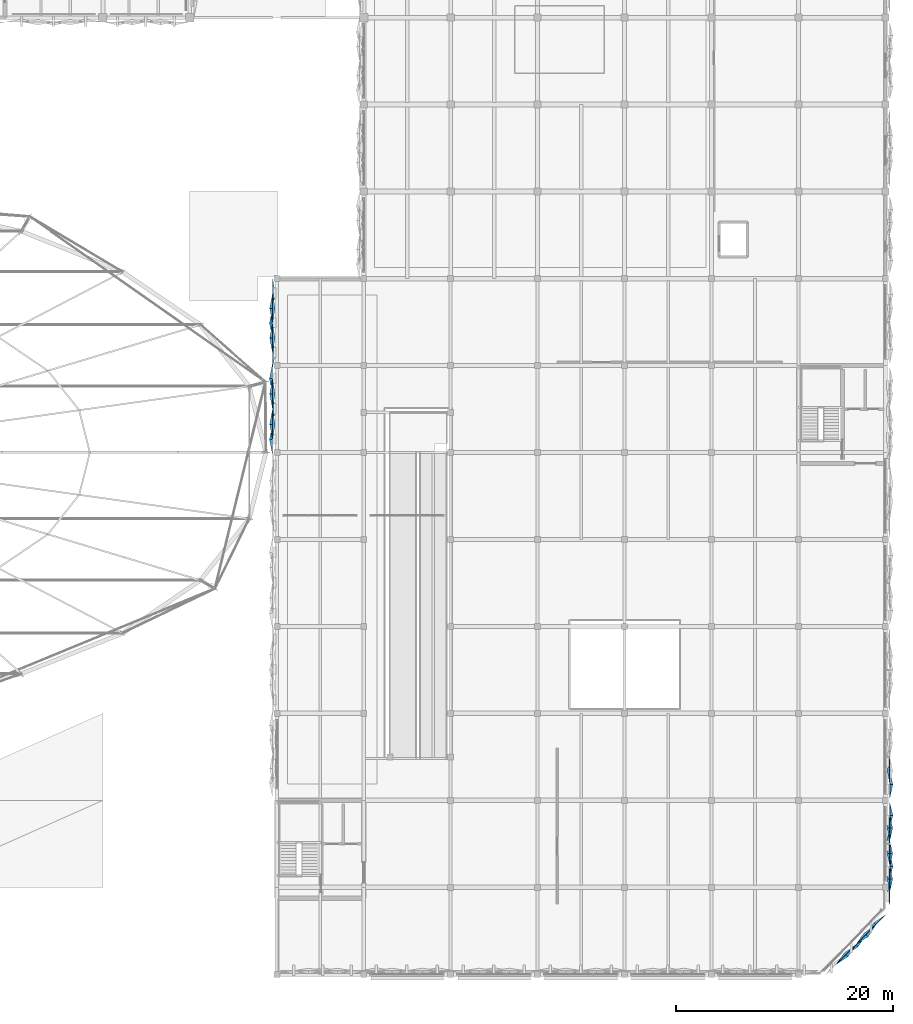
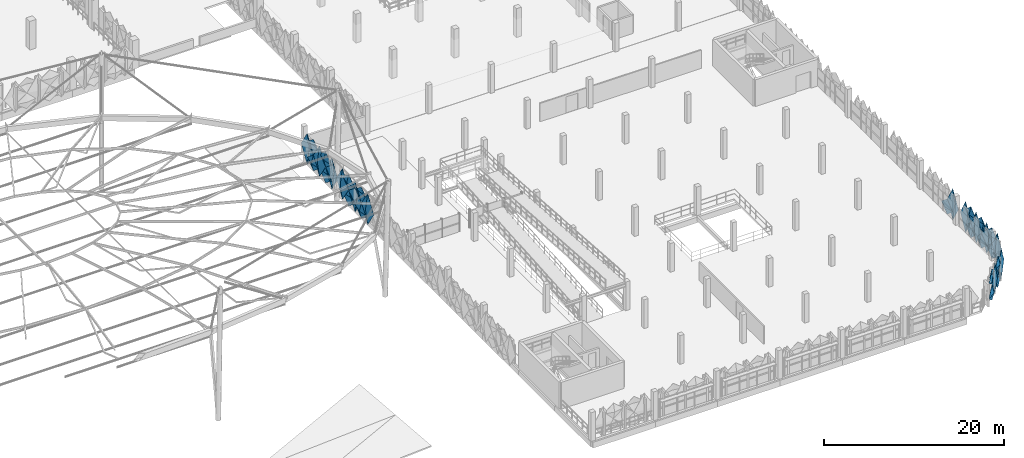
# One storey, part 71 of 96: 32 plates.
"""IFC4 building model written with IfcOpenShell, lengths in metres."""

import ifcopenshell
import ifcopenshell.guid

model = None  # the IFC model being written
_history = None  # IfcOwnerHistory: only IFC2X3 demands one
_inside = {}  # id of a spatial element -> (the spatial element, [elements in it])
_under = {}  # id of a project, library or spatial element -> (it, [spatial elements below it])
_declared = {}  # id of a project -> (the project, [libraries it declares])
_typed = {}  # id of a type object -> (the type object, [elements of that type])
_made_of = {}  # id of a material, layer set ... -> (it, [elements and type objects made of it])


def new_model(schema):
    """Start an empty IFC model of exactly this schema.

    Asked for "IFC4X3", IfcOpenShell would pick the latest addendum, in which some entities
    have other attributes; the version numbers below select the first issue.
    IFC2X3 requires an IfcOwnerHistory on every rooted entity: one is made here for all.
    """
    global model, _history
    if schema == "IFC4X3":
        model = ifcopenshell.file(schema_version=(4, 3, 0, 0))
    else:
        model = ifcopenshell.file(schema=schema)
    _inside.clear()
    _under.clear()
    _declared.clear()
    _typed.clear()
    _made_of.clear()
    _history = None
    if model.schema == "IFC2X3":
        org = make("IfcOrganization", Name="unknown")
        user = make(
            "IfcPersonAndOrganization",
            ThePerson=make("IfcPerson", FamilyName="unknown"),
            TheOrganization=org,
        )
        app = make(
            "IfcApplication",
            ApplicationDeveloper=org,
            Version="unknown",
            ApplicationFullName="unknown",
            ApplicationIdentifier="unknown",
        )
        _history = make(
            "IfcOwnerHistory",
            OwningUser=user,
            OwningApplication=app,
            ChangeAction="ADDED",
            CreationDate=0,
        )
    return model


def make(cls, **values):
    """One entity of the class cls with the attributes given. An attribute that is None is left unset."""
    return model.create_entity(
        cls, **{name: value for name, value in values.items() if value is not None}
    )


def rooted(cls, **values):
    """An entity with a GlobalId (a new one), such as an element, a storey or a relation."""
    return make(cls, GlobalId=ifcopenshell.guid.new(), OwnerHistory=_history, **values)


def si_unit(unit_type, name, prefix=None):
    """IfcSIUnit, for example si_unit("LENGTHUNIT", "METRE", prefix="MILLI")."""
    return make("IfcSIUnit", UnitType=unit_type, Prefix=prefix, Name=name)


def derived_unit(unit_type, elements):
    """IfcDerivedUnit: a product of units, each with its exponent."""
    return make(
        "IfcDerivedUnit",
        Elements=[
            make("IfcDerivedUnitElement", Unit=unit, Exponent=power)
            for unit, power in elements
        ],
        UnitType=unit_type,
    )


def assignment(units):
    """IfcUnitAssignment: the units of a project."""
    return None if units is None else make("IfcUnitAssignment", Units=units)


def point(xyz):
    """IfcCartesianPoint."""
    return None if xyz is None else make("IfcCartesianPoint", Coordinates=xyz)


def direction(xyz):
    """IfcDirection."""
    return None if xyz is None else make("IfcDirection", DirectionRatios=xyz)


def frame(location, z_axis=None, x_axis=None):
    """IfcAxis2Placement3D, a coordinate frame: its origin and axes. An axis left out is left unset."""
    return make(
        "IfcAxis2Placement3D",
        Location=point(location),
        Axis=direction(z_axis),
        RefDirection=direction(x_axis),
    )


def origin():
    """The frame at (0, 0, 0) with its axes left unset."""
    return frame((0.0, 0.0, 0.0))


def place(relative_to, where):
    """IfcLocalPlacement: puts the frame where relative to a parent placement (None: the world)."""
    return make(
        "IfcLocalPlacement", PlacementRelTo=relative_to, RelativePlacement=where
    )


def context(
    kind, dimensions, precision=None, world=None, true_north=None, identifier=None
):
    """IfcGeometricRepresentationContext, for example the 3D "Model" context."""
    return make(
        "IfcGeometricRepresentationContext",
        ContextIdentifier=identifier,
        ContextType=kind,
        CoordinateSpaceDimension=dimensions,
        Precision=precision,
        WorldCoordinateSystem=world,
        TrueNorth=true_north,
    )


def subcontext(parent, identifier, kind, view, scale=None):
    """IfcGeometricRepresentationSubContext, for example "Body" below "Model"."""
    return make(
        "IfcGeometricRepresentationSubContext",
        ContextIdentifier=identifier,
        ContextType=kind,
        ParentContext=parent,
        TargetScale=scale,
        TargetView=view,
    )


def project(units=None, contexts=None):
    """IfcProject with its units and contexts."""
    return rooted(
        "IfcProject",
        Name="project",
        RepresentationContexts=contexts,
        UnitsInContext=assignment(units),
    )


def spatial(cls, under=None, at=None, **own):
    """A site, building, storey or space (cls), placed at a placement, below another one or the project."""
    s = rooted(cls, ObjectPlacement=at, **own)
    if under is not None:
        _under.setdefault(under.id(), (under, []))[1].append(s)
    return s


def point_list(points):
    """IfcCartesianPointList2D or 3D."""
    cls = (
        "IfcCartesianPointList2D" if len(points[0]) == 2 else "IfcCartesianPointList3D"
    )
    return make(cls, CoordList=points)


def polygons(points, faces, closed=None, point_numbers=None):
    """IfcPolygonalFaceSet: a face is its outer loop, then its inner loops; points numbered from 1."""
    made = []
    for loops in faces:
        if len(loops) == 1:
            made.append(make("IfcIndexedPolygonalFace", CoordIndex=loops[0]))
        else:
            made.append(
                make(
                    "IfcIndexedPolygonalFaceWithVoids",
                    CoordIndex=loops[0],
                    InnerCoordIndices=loops[1:],
                )
            )
    return make(
        "IfcPolygonalFaceSet",
        Coordinates=point_list(points),
        Closed=closed,
        Faces=made,
        PnIndex=point_numbers,
    )


def shape(context_of_items, identifier, shape_type, items):
    """IfcShapeRepresentation: the items that make up one representation, for example the "Body"."""
    return make(
        "IfcShapeRepresentation",
        ContextOfItems=context_of_items,
        RepresentationIdentifier=identifier,
        RepresentationType=shape_type,
        Items=items,
    )


def material(Name=None, Category=None):
    """IfcMaterial."""
    return make("IfcMaterial", Name=Name, Category=Category)


def layer(
    of_material, thickness, ventilated=None, Name=None, Category=None, Priority=None
):
    """IfcMaterialLayer: one layer of a wall or slab, of a material (None: an air gap)."""
    return make(
        "IfcMaterialLayer",
        Material=of_material,
        LayerThickness=thickness,
        IsVentilated=ventilated,
        Name=Name,
        Category=Category,
        Priority=Priority,
    )


def layer_set(layers, Name=None):
    """IfcMaterialLayerSet."""
    return make("IfcMaterialLayerSet", MaterialLayers=layers, LayerSetName=Name)


def made_of(thing, what):
    """Note that an element or type object is made of a material, layer set ...; save() writes the relation."""
    if what is not None:
        _made_of.setdefault(what.id(), (what, []))[1].append(thing)
    return thing


def type_object(cls, material=None, **own):
    """A type object (cls), such as IfcWallType, which elements share."""
    return made_of(rooted(cls, **own), material)


def element(
    cls,
    number,
    at=None,
    inside=None,
    cuts=None,
    type_object=None,
    material=None,
    context=None,
    identifier="Body",
    shape_type=None,
    held_by="IfcProductDefinitionShape",
    body=None,
    shapes=None,
    **own,
):
    """One element of the class cls, such as IfcWall. Its Tag is "e" and its number.

    at: its placement. inside: the storey or other place that contains it. cuts: it is an
    opening in that element (IfcRelVoidsElement). A single representation is given by context,
    identifier, shape_type and body (its items); several are given by shapes. held_by: the class
    of the entity that holds the representations. save() writes the other relations.
    """
    e = rooted(cls, Tag="e%d" % number, ObjectPlacement=at, **own)
    if body is not None:
        shapes = [shape(context, identifier, shape_type, body)]
    if shapes is not None:
        e.Representation = make(held_by, Representations=shapes)
    if inside is not None:
        _inside.setdefault(inside.id(), (inside, []))[1].append(e)
    if cuts is not None:
        rooted(
            "IfcRelVoidsElement", RelatingBuildingElement=cuts, RelatedOpeningElement=e
        )
    if type_object is not None:
        _typed.setdefault(type_object.id(), (type_object, []))[1].append(e)
    return made_of(e, material)


def aggregate(whole, parts):
    """IfcRelAggregates: a whole, such as a stair, and the parts it consists of."""
    return rooted("IfcRelAggregates", RelatingObject=whole, RelatedObjects=parts)


def save(model, path):
    """Write the relations noted so far, then the file.

    IfcRelAggregates (storeys below a building ...), IfcRelContainedInSpatialStructure (elements
    in a storey), IfcRelDefinesByType, IfcRelAssociatesMaterial and IfcRelDeclares: one each for
    every whole, place, type object, material and project.
    """
    for whole, parts in _under.values():
        aggregate(whole, parts)
    for where, things in _inside.values():
        rooted(
            "IfcRelContainedInSpatialStructure",
            RelatedElements=things,
            RelatingStructure=where,
        )
    for kind, things in _typed.values():
        rooted("IfcRelDefinesByType", RelatedObjects=things, RelatingType=kind)
    for what, things in _made_of.values():
        rooted("IfcRelAssociatesMaterial", RelatedObjects=things, RelatingMaterial=what)
    for by, libraries in _declared.values():
        rooted("IfcRelDeclares", RelatingContext=by, RelatedDefinitions=libraries)
    model.write(path)


model = new_model("IFC4")

# Units and contexts
model_context = context("Model", 3, precision=1e-05, world=origin(), true_north=direction((0.0, 1.0)))
body_context = subcontext(model_context, "Body", "Model", "MODEL_VIEW")
ifc_project = project(units=[si_unit("LENGTHUNIT", "METRE"), si_unit("AREAUNIT", "SQUARE_METRE"), si_unit("VOLUMEUNIT", "CUBIC_METRE"), si_unit("PLANEANGLEUNIT", "RADIAN"), si_unit("MASSUNIT", "GRAM", prefix="KILO"), si_unit("THERMODYNAMICTEMPERATUREUNIT", "KELVIN"), derived_unit("THERMALTRANSMITTANCEUNIT", [(si_unit("POWERUNIT", "WATT"), 1), (si_unit("AREAUNIT", "SQUARE_METRE"), -1), (si_unit("THERMODYNAMICTEMPERATUREUNIT", "KELVIN"), -1)])], contexts=[model_context])

# Site, building, storey
site_placement = place(None, origin())
site = spatial("IfcSite", under=ifc_project, at=site_placement, CompositionType="ELEMENT")
building_placement = place(site_placement, origin())
building = spatial("IfcBuilding", under=site, at=building_placement, Name="Haiyu Intermodal Mobility Hub", CompositionType="ELEMENT")
storey_placement = place(building_placement, frame((0.0, 0.0, 9.5)))
storey = spatial("IfcBuildingStorey", under=building, at=storey_placement, Name="L02", CompositionType="ELEMENT", Elevation=9.5)

# Plates
ifc_material = material(Name="Anodised aluminium 6063-T6", Category="aluminium")
ifc_layer_1 = layer(ifc_material, 0.01806640625)
ifc_layer_set_1 = layer_set([ifc_layer_1], Name="Anodised aluminium 6063-T6")
plate_type_1 = type_object("IfcPlateType", Name="PLT-FC01", PredefinedType="USERDEFINED", material=ifc_layer_set_1)
plate_1_placement = place(storey_placement, origin())
element("IfcPlate", 1, at=plate_1_placement, inside=storey, type_object=plate_type_1, Name="PLT-PYR-1729", ObjectType="FACADE CASSETTE", PredefinedType="USERDEFINED", context=body_context, shape_type="Tessellation", body=[
    polygons([(153.60009765625, 65.199951171875, -0.510009765625), (153.60009765625, 63.820068359375, 1.60009765625), (153.60009765625, 65.199951171875, 3.7099609375), (153.60009765625, 66.580078125, 1.60009765625), (153.320068359375, 65.199951171875, 1.60009765625), (153.6220703125, 65.199951171875, -0.510009765625), (153.6220703125, 63.820068359375, 1.60009765625), (153.6220703125, 65.199951171875, 3.7099609375), (153.6220703125, 66.580078125, 1.60009765625), (153.342041015625, 65.199951171875, 1.60009765625)], [[[1, 2, 5]], [[2, 3, 5]], [[3, 4, 5]], [[4, 1, 5]], [[7, 6, 10]], [[8, 7, 10]], [[9, 8, 10]], [[6, 9, 10]], [[1, 6, 7, 2]], [[2, 7, 8, 3]], [[3, 8, 9, 4]], [[4, 9, 6, 1]]], closed=True),
])
ifc_layer_2 = layer(ifc_material, 0.02001953125)
ifc_layer_set_2 = layer_set([ifc_layer_2], Name="Anodised aluminium 6063-T6")
plate_type_2 = type_object("IfcPlateType", Name="PLT-FC02", PredefinedType="USERDEFINED", material=ifc_layer_set_2)
plate_2_placement = place(storey_placement, origin())
element("IfcPlate", 2, at=plate_2_placement, inside=storey, type_object=plate_type_2, Name="PLT-PYR-1471", ObjectType="FACADE CASSETTE", PredefinedType="USERDEFINED", context=body_context, shape_type="Tessellation", body=[
    polygons([(209.115966796875, 20.550048828125, -0.510009765625), (210.01904296875, 21.452880859375, 1.60009765625), (209.115966796875, 20.550048828125, 3.7099609375), (208.214111328125, 19.64794921875, 1.60009765625), (208.931884765625, 20.73388671875, 1.60009765625), (209.10107421875, 20.56591796875, -0.510009765625), (210.0029296875, 21.468994140625, 1.60009765625), (209.10107421875, 20.56591796875, 3.7099609375), (208.197998046875, 19.6640625, 1.60009765625), (208.9169921875, 20.75, 1.60009765625)], [[[1, 2, 5]], [[2, 3, 5]], [[3, 4, 5]], [[4, 1, 5]], [[7, 6, 10]], [[8, 7, 10]], [[9, 8, 10]], [[6, 9, 10]], [[1, 6, 7, 2]], [[2, 7, 8, 3]], [[3, 8, 9, 4]], [[4, 9, 6, 1]]], closed=True),
])
plate_3_placement = place(storey_placement, origin())
element("IfcPlate", 3, at=plate_3_placement, inside=storey, type_object=plate_type_2, Name="PLT-PYR-1659", ObjectType="FACADE CASSETTE", PredefinedType="USERDEFINED", context=body_context, shape_type="Tessellation", body=[
    polygons([(210.39990234375, 28.27490234375, -0.510009765625), (210.39990234375, 29.429931640625, 1.60009765625), (210.39990234375, 28.27490234375, 3.7099609375), (210.39990234375, 27.1201171875, 1.60009765625), (210.139892578125, 28.27490234375, 1.60009765625), (210.3779296875, 28.27490234375, -0.510009765625), (210.3779296875, 29.429931640625, 1.60009765625), (210.3779296875, 28.27490234375, 3.7099609375), (210.3779296875, 27.1201171875, 1.60009765625), (210.117919921875, 28.27490234375, 1.60009765625)], [[[1, 2, 5]], [[2, 3, 5]], [[3, 4, 5]], [[4, 1, 5]], [[7, 6, 10]], [[8, 7, 10]], [[9, 8, 10]], [[6, 9, 10]], [[1, 6, 7, 2]], [[2, 7, 8, 3]], [[3, 8, 9, 4]], [[4, 9, 6, 1]]], closed=True),
])
plate_4_placement = place(storey_placement, origin())
element("IfcPlate", 4, at=plate_4_placement, inside=storey, type_object=plate_type_2, Name="PLT-PYR-1736", ObjectType="FACADE CASSETTE", PredefinedType="USERDEFINED", context=body_context, shape_type="Tessellation", body=[
    polygons([(153.60009765625, 73.1669921875, -0.510009765625), (153.60009765625, 71.820068359375, 1.60009765625), (153.60009765625, 73.1669921875, 3.7099609375), (153.60009765625, 74.512939453125, 1.60009765625), (153.860107421875, 73.1669921875, 1.60009765625), (153.6220703125, 73.1669921875, -0.510009765625), (153.6220703125, 71.820068359375, 1.60009765625), (153.6220703125, 73.1669921875, 3.7099609375), (153.6220703125, 74.512939453125, 1.60009765625), (153.882080078125, 73.1669921875, 1.60009765625)], [[[1, 2, 5]], [[2, 3, 5]], [[3, 4, 5]], [[4, 1, 5]], [[7, 6, 10]], [[8, 7, 10]], [[9, 8, 10]], [[6, 9, 10]], [[1, 6, 7, 2]], [[2, 7, 8, 3]], [[3, 8, 9, 4]], [[4, 9, 6, 1]]], closed=True),
])
ifc_layer_3 = layer(ifc_material, 0.01806640625)
ifc_layer_set_3 = layer_set([ifc_layer_3], Name="Anodised aluminium 6063-T6")
plate_type_3 = type_object("IfcPlateType", Name="PLT-FC03", PredefinedType="USERDEFINED", material=ifc_layer_set_3)
plate_5_placement = place(storey_placement, origin())
element("IfcPlate", 5, at=plate_5_placement, inside=storey, type_object=plate_type_3, Name="PLT-PYR-1662", ObjectType="FACADE CASSETTE", PredefinedType="USERDEFINED", context=body_context, shape_type="Tessellation", body=[
    polygons([(210.39990234375, 30.625, -0.510009765625), (210.39990234375, 31.780029296875, 1.60009765625), (210.39990234375, 30.625, 3.7099609375), (210.39990234375, 29.469970703125, 1.60009765625), (210.679931640625, 30.625, 1.60009765625), (210.3779296875, 30.625, -0.510009765625), (210.3779296875, 31.780029296875, 1.60009765625), (210.3779296875, 30.625, 3.7099609375), (210.3779296875, 29.469970703125, 1.60009765625), (210.657958984375, 30.625, 1.60009765625)], [[[1, 2, 5]], [[2, 3, 5]], [[3, 4, 5]], [[4, 1, 5]], [[7, 6, 10]], [[8, 7, 10]], [[9, 8, 10]], [[6, 9, 10]], [[1, 6, 7, 2]], [[2, 7, 8, 3]], [[3, 8, 9, 4]], [[4, 9, 6, 1]]], closed=True),
])
ifc_layer_4 = layer(ifc_material, 0.01806640625)
ifc_layer_set_4 = layer_set([ifc_layer_4], Name="Anodised aluminium 6063-T6")
plate_type_4 = type_object("IfcPlateType", Name="PLT-FC05", PredefinedType="USERDEFINED", material=ifc_layer_set_4)
plate_6_placement = place(storey_placement, origin())
element("IfcPlate", 6, at=plate_6_placement, inside=storey, type_object=plate_type_4, Name="PLT-PYR-1466", ObjectType="FACADE CASSETTE", PredefinedType="USERDEFINED", context=body_context, shape_type="Tessellation", body=[
    polygons([(206.365966796875, 17.800048828125, -0.52001953125), (207.26904296875, 18.702880859375, 0.530029296875), (206.365966796875, 17.800048828125, 1.580078125), (205.464111328125, 16.89794921875, 0.530029296875), (206.550048828125, 17.616943359375, 0.530029296875), (206.35107421875, 17.81591796875, -0.52001953125), (207.2529296875, 18.718994140625, 0.530029296875), (206.35107421875, 17.81591796875, 1.580078125), (205.447998046875, 16.9140625, 0.530029296875), (206.533935546875, 17.632080078125, 0.530029296875)], [[[1, 2, 5]], [[2, 3, 5]], [[3, 4, 5]], [[4, 1, 5]], [[7, 6, 10]], [[8, 7, 10]], [[9, 8, 10]], [[6, 9, 10]], [[1, 6, 7, 2]], [[2, 7, 8, 3]], [[3, 8, 9, 4]], [[4, 9, 6, 1]]], closed=True),
])
plate_7_placement = place(storey_placement, origin())
element("IfcPlate", 7, at=plate_7_placement, inside=storey, type_object=plate_type_4, Name="PLT-PYR-1654", ObjectType="FACADE CASSETTE", PredefinedType="USERDEFINED", context=body_context, shape_type="Tessellation", body=[
    polygons([(210.39990234375, 24.75, -0.52001953125), (210.39990234375, 25.905029296875, 0.530029296875), (210.39990234375, 24.75, 1.580078125), (210.39990234375, 23.594970703125, 0.530029296875), (210.659912109375, 24.75, 0.530029296875), (210.3779296875, 24.75, -0.52001953125), (210.3779296875, 25.905029296875, 0.530029296875), (210.3779296875, 24.75, 1.580078125), (210.3779296875, 23.594970703125, 0.530029296875), (210.637939453125, 24.75, 0.530029296875)], [[[1, 2, 5]], [[2, 3, 5]], [[3, 4, 5]], [[4, 1, 5]], [[7, 6, 10]], [[8, 7, 10]], [[9, 8, 10]], [[6, 9, 10]], [[1, 6, 7, 2]], [[2, 7, 8, 3]], [[3, 8, 9, 4]], [[4, 9, 6, 1]]], closed=True),
])
plate_8_placement = place(storey_placement, origin())
element("IfcPlate", 8, at=plate_8_placement, inside=storey, type_object=plate_type_4, Name="PLT-PYR-1660", ObjectType="FACADE CASSETTE", PredefinedType="USERDEFINED", context=body_context, shape_type="Tessellation", body=[
    polygons([(210.39990234375, 29.449951171875, -0.52001953125), (210.39990234375, 30.60498046875, 0.530029296875), (210.39990234375, 29.449951171875, 1.580078125), (210.39990234375, 28.294921875, 0.530029296875), (210.659912109375, 29.449951171875, 0.530029296875), (210.3779296875, 29.449951171875, -0.52001953125), (210.3779296875, 30.60498046875, 0.530029296875), (210.3779296875, 29.449951171875, 1.580078125), (210.3779296875, 28.294921875, 0.530029296875), (210.637939453125, 29.449951171875, 0.530029296875)], [[[1, 2, 5]], [[2, 3, 5]], [[3, 4, 5]], [[4, 1, 5]], [[7, 6, 10]], [[8, 7, 10]], [[9, 8, 10]], [[6, 9, 10]], [[1, 6, 7, 2]], [[2, 7, 8, 3]], [[3, 8, 9, 4]], [[4, 9, 6, 1]]], closed=True),
])
plate_9_placement = place(storey_placement, origin())
element("IfcPlate", 9, at=plate_9_placement, inside=storey, type_object=plate_type_4, Name="PLT-PYR-1663", ObjectType="FACADE CASSETTE", PredefinedType="USERDEFINED", context=body_context, shape_type="Tessellation", body=[
    polygons([(210.39990234375, 33.467041015625, -0.510009765625), (210.39990234375, 34.712890625, 1.60009765625), (210.39990234375, 33.467041015625, 3.7099609375), (210.39990234375, 32.219970703125, 1.60009765625), (210.679931640625, 33.467041015625, 1.60009765625), (210.3779296875, 33.467041015625, -0.510009765625), (210.3779296875, 34.712890625, 1.60009765625), (210.3779296875, 33.467041015625, 3.7099609375), (210.3779296875, 32.219970703125, 1.60009765625), (210.657958984375, 33.467041015625, 1.60009765625)], [[[1, 2, 5]], [[2, 3, 5]], [[3, 4, 5]], [[4, 1, 5]], [[7, 6, 10]], [[8, 7, 10]], [[9, 8, 10]], [[6, 9, 10]], [[1, 6, 7, 2]], [[2, 7, 8, 3]], [[3, 8, 9, 4]], [[4, 9, 6, 1]]], closed=True),
])
plate_10_placement = place(storey_placement, origin())
element("IfcPlate", 10, at=plate_10_placement, inside=storey, type_object=plate_type_4, Name="PLT-PYR-1723", ObjectType="FACADE CASSETTE", PredefinedType="USERDEFINED", context=body_context, shape_type="Tessellation", body=[
    polygons([(153.60009765625, 70.800048828125, -0.510009765625), (153.60009765625, 69.419921875, 1.60009765625), (153.60009765625, 70.800048828125, 3.7099609375), (153.60009765625, 72.179931640625, 1.60009765625), (153.320068359375, 70.800048828125, 1.60009765625), (153.6220703125, 70.800048828125, -0.510009765625), (153.6220703125, 69.419921875, 1.60009765625), (153.6220703125, 70.800048828125, 3.7099609375), (153.6220703125, 72.179931640625, 1.60009765625), (153.342041015625, 70.800048828125, 1.60009765625)], [[[1, 2, 5]], [[2, 3, 5]], [[3, 4, 5]], [[4, 1, 5]], [[7, 6, 10]], [[8, 7, 10]], [[9, 8, 10]], [[6, 9, 10]], [[1, 6, 7, 2]], [[2, 7, 8, 3]], [[3, 8, 9, 4]], [[4, 9, 6, 1]]], closed=True),
])
plate_11_placement = place(storey_placement, origin())
element("IfcPlate", 11, at=plate_11_placement, inside=storey, type_object=plate_type_4, Name="PLT-PYR-1727", ObjectType="FACADE CASSETTE", PredefinedType="USERDEFINED", context=body_context, shape_type="Tessellation", body=[
    polygons([(153.60009765625, 66.60009765625, -0.52001953125), (153.60009765625, 65.219970703125, 0.530029296875), (153.60009765625, 66.60009765625, 1.580078125), (153.60009765625, 67.97998046875, 0.530029296875), (153.340087890625, 66.60009765625, 0.530029296875), (153.6220703125, 66.60009765625, -0.52001953125), (153.6220703125, 65.219970703125, 0.530029296875), (153.6220703125, 66.60009765625, 1.580078125), (153.6220703125, 67.97998046875, 0.530029296875), (153.362060546875, 66.60009765625, 0.530029296875)], [[[1, 2, 5]], [[2, 3, 5]], [[3, 4, 5]], [[4, 1, 5]], [[7, 6, 10]], [[8, 7, 10]], [[9, 8, 10]], [[6, 9, 10]], [[1, 6, 7, 2]], [[2, 7, 8, 3]], [[3, 8, 9, 4]], [[4, 9, 6, 1]]], closed=True),
])
plate_12_placement = place(storey_placement, origin())
element("IfcPlate", 12, at=plate_12_placement, inside=storey, type_object=plate_type_4, Name="PLT-PYR-1731", ObjectType="FACADE CASSETTE", PredefinedType="USERDEFINED", context=body_context, shape_type="Tessellation", body=[
    polygons([(153.60009765625, 77.26708984375, -0.52001953125), (153.60009765625, 75.919921875, 0.530029296875), (153.60009765625, 77.26708984375, 1.580078125), (153.60009765625, 78.613037109375, 0.530029296875), (153.340087890625, 77.26708984375, 0.530029296875), (153.6220703125, 77.26708984375, -0.52001953125), (153.6220703125, 75.919921875, 0.530029296875), (153.6220703125, 77.26708984375, 1.580078125), (153.6220703125, 78.613037109375, 0.530029296875), (153.362060546875, 77.26708984375, 0.530029296875)], [[[1, 2, 5]], [[2, 3, 5]], [[3, 4, 5]], [[4, 1, 5]], [[7, 6, 10]], [[8, 7, 10]], [[9, 8, 10]], [[6, 9, 10]], [[1, 6, 7, 2]], [[2, 7, 8, 3]], [[3, 8, 9, 4]], [[4, 9, 6, 1]]], closed=True),
])
ifc_layer_5 = layer(ifc_material, 0.02001953125)
ifc_layer_set_5 = layer_set([ifc_layer_5], Name="Anodised aluminium 6063-T6")
plate_type_5 = type_object("IfcPlateType", Name="PLT-FC06", PredefinedType="USERDEFINED", material=ifc_layer_set_5)
plate_13_placement = place(storey_placement, origin())
element("IfcPlate", 13, at=plate_13_placement, inside=storey, type_object=plate_type_5, Name="PLT-PYR-1469", ObjectType="FACADE CASSETTE", PredefinedType="USERDEFINED", context=body_context, shape_type="Tessellation", body=[
    polygons([(208.199951171875, 19.634033203125, -0.52001953125), (209.10205078125, 20.535888671875, 0.530029296875), (208.199951171875, 19.634033203125, 1.580078125), (207.297119140625, 18.73095703125, 0.530029296875), (208.0439453125, 19.7890625, 0.530029296875), (208.18408203125, 19.64892578125, -0.52001953125), (209.0859375, 20.552001953125, 0.530029296875), (208.18408203125, 19.64892578125, 1.580078125), (207.281005859375, 18.7470703125, 0.530029296875), (208.028076171875, 19.804931640625, 0.530029296875)], [[[1, 2, 5]], [[2, 3, 5]], [[3, 4, 5]], [[4, 1, 5]], [[7, 6, 10]], [[8, 7, 10]], [[9, 8, 10]], [[6, 9, 10]], [[1, 6, 7, 2]], [[2, 7, 8, 3]], [[3, 8, 9, 4]], [[4, 9, 6, 1]]], closed=True),
])
plate_14_placement = place(storey_placement, origin())
element("IfcPlate", 14, at=plate_14_placement, inside=storey, type_object=plate_type_5, Name="PLT-PYR-1653", ObjectType="FACADE CASSETTE", PredefinedType="USERDEFINED", context=body_context, shape_type="Tessellation", body=[
    polygons([(210.39990234375, 23.574951171875, -0.510009765625), (210.39990234375, 24.72998046875, 1.60009765625), (210.39990234375, 23.574951171875, 3.7099609375), (210.39990234375, 22.419921875, 1.60009765625), (210.139892578125, 23.574951171875, 1.60009765625), (210.3779296875, 23.574951171875, -0.510009765625), (210.3779296875, 24.72998046875, 1.60009765625), (210.3779296875, 23.574951171875, 3.7099609375), (210.3779296875, 22.419921875, 1.60009765625), (210.117919921875, 23.574951171875, 1.60009765625)], [[[1, 2, 5]], [[2, 3, 5]], [[3, 4, 5]], [[4, 1, 5]], [[7, 6, 10]], [[8, 7, 10]], [[9, 8, 10]], [[6, 9, 10]], [[1, 6, 7, 2]], [[2, 7, 8, 3]], [[3, 8, 9, 4]], [[4, 9, 6, 1]]], closed=True),
])
plate_15_placement = place(storey_placement, origin())
element("IfcPlate", 15, at=plate_15_placement, inside=storey, type_object=plate_type_5, Name="PLT-PYR-1657", ObjectType="FACADE CASSETTE", PredefinedType="USERDEFINED", context=body_context, shape_type="Tessellation", body=[
    polygons([(210.39990234375, 27.10009765625, -0.52001953125), (210.39990234375, 28.2548828125, 0.530029296875), (210.39990234375, 27.10009765625, 1.580078125), (210.39990234375, 25.945068359375, 0.530029296875), (210.179931640625, 27.10009765625, 0.530029296875), (210.3779296875, 27.10009765625, -0.52001953125), (210.3779296875, 28.2548828125, 0.530029296875), (210.3779296875, 27.10009765625, 1.580078125), (210.3779296875, 25.945068359375, 0.530029296875), (210.157958984375, 27.10009765625, 0.530029296875)], [[[1, 2, 5]], [[2, 3, 5]], [[3, 4, 5]], [[4, 1, 5]], [[7, 6, 10]], [[8, 7, 10]], [[9, 8, 10]], [[6, 9, 10]], [[1, 6, 7, 2]], [[2, 7, 8, 3]], [[3, 8, 9, 4]], [[4, 9, 6, 1]]], closed=True),
])
plate_16_placement = place(storey_placement, origin())
element("IfcPlate", 16, at=plate_16_placement, inside=storey, type_object=plate_type_5, Name="PLT-PYR-1664", ObjectType="FACADE CASSETTE", PredefinedType="USERDEFINED", context=body_context, shape_type="Tessellation", body=[
    polygons([(210.39990234375, 34.73291015625, -0.52001953125), (210.39990234375, 35.97998046875, 0.530029296875), (210.39990234375, 34.73291015625, 1.580078125), (210.39990234375, 33.487060546875, 0.530029296875), (210.179931640625, 34.73291015625, 0.530029296875), (210.3779296875, 34.73291015625, -0.52001953125), (210.3779296875, 35.97998046875, 0.530029296875), (210.3779296875, 34.73291015625, 1.580078125), (210.3779296875, 33.487060546875, 0.530029296875), (210.157958984375, 34.73291015625, 0.530029296875)], [[[1, 2, 5]], [[2, 3, 5]], [[3, 4, 5]], [[4, 1, 5]], [[7, 6, 10]], [[8, 7, 10]], [[9, 8, 10]], [[6, 9, 10]], [[1, 6, 7, 2]], [[2, 7, 8, 3]], [[3, 8, 9, 4]], [[4, 9, 6, 1]]], closed=True),
])
plate_17_placement = place(storey_placement, origin())
element("IfcPlate", 17, at=plate_17_placement, inside=storey, type_object=plate_type_5, Name="PLT-PYR-1724", ObjectType="FACADE CASSETTE", PredefinedType="USERDEFINED", context=body_context, shape_type="Tessellation", body=[
    polygons([(153.60009765625, 69.39990234375, -0.52001953125), (153.60009765625, 68.02001953125, 0.530029296875), (153.60009765625, 69.39990234375, 1.580078125), (153.60009765625, 70.780029296875, 0.530029296875), (153.820068359375, 69.39990234375, 0.530029296875), (153.6220703125, 69.39990234375, -0.52001953125), (153.6220703125, 68.02001953125, 0.530029296875), (153.6220703125, 69.39990234375, 1.580078125), (153.6220703125, 70.780029296875, 0.530029296875), (153.842041015625, 69.39990234375, 0.530029296875)], [[[1, 2, 5]], [[2, 3, 5]], [[3, 4, 5]], [[4, 1, 5]], [[7, 6, 10]], [[8, 7, 10]], [[9, 8, 10]], [[6, 9, 10]], [[1, 6, 7, 2]], [[2, 7, 8, 3]], [[3, 8, 9, 4]], [[4, 9, 6, 1]]], closed=True),
])
plate_18_placement = place(storey_placement, origin())
element("IfcPlate", 18, at=plate_18_placement, inside=storey, type_object=plate_type_5, Name="PLT-PYR-1730", ObjectType="FACADE CASSETTE", PredefinedType="USERDEFINED", context=body_context, shape_type="Tessellation", body=[
    polygons([(153.60009765625, 78.633056640625, -0.510009765625), (153.60009765625, 77.287109375, 1.60009765625), (153.60009765625, 78.633056640625, 3.7099609375), (153.60009765625, 79.97998046875, 1.60009765625), (153.860107421875, 78.633056640625, 1.60009765625), (153.6220703125, 78.633056640625, -0.510009765625), (153.6220703125, 77.287109375, 1.60009765625), (153.6220703125, 78.633056640625, 3.7099609375), (153.6220703125, 79.97998046875, 1.60009765625), (153.882080078125, 78.633056640625, 1.60009765625)], [[[1, 2, 5]], [[2, 3, 5]], [[3, 4, 5]], [[4, 1, 5]], [[7, 6, 10]], [[8, 7, 10]], [[9, 8, 10]], [[6, 9, 10]], [[1, 6, 7, 2]], [[2, 7, 8, 3]], [[3, 8, 9, 4]], [[4, 9, 6, 1]]], closed=True),
])
plate_19_placement = place(storey_placement, origin())
element("IfcPlate", 19, at=plate_19_placement, inside=storey, type_object=plate_type_5, Name="PLT-PYR-1734", ObjectType="FACADE CASSETTE", PredefinedType="USERDEFINED", context=body_context, shape_type="Tessellation", body=[
    polygons([(153.60009765625, 74.532958984375, -0.52001953125), (153.60009765625, 73.18701171875, 0.530029296875), (153.60009765625, 74.532958984375, 1.580078125), (153.60009765625, 75.8798828125, 0.530029296875), (153.820068359375, 74.532958984375, 0.530029296875), (153.6220703125, 74.532958984375, -0.52001953125), (153.6220703125, 73.18701171875, 0.530029296875), (153.6220703125, 74.532958984375, 1.580078125), (153.6220703125, 75.8798828125, 0.530029296875), (153.842041015625, 74.532958984375, 0.530029296875)], [[[1, 2, 5]], [[2, 3, 5]], [[3, 4, 5]], [[4, 1, 5]], [[7, 6, 10]], [[8, 7, 10]], [[9, 8, 10]], [[6, 9, 10]], [[1, 6, 7, 2]], [[2, 7, 8, 3]], [[3, 8, 9, 4]], [[4, 9, 6, 1]]], closed=True),
])
ifc_layer_6 = layer(ifc_material, 0.02197265625)
ifc_layer_set_6 = layer_set([ifc_layer_6], Name="Anodised aluminium 6063-T6")
plate_type_6 = type_object("IfcPlateType", Name="PLT-FC07", PredefinedType="USERDEFINED", material=ifc_layer_set_6)
plate_20_placement = place(storey_placement, origin())
element("IfcPlate", 20, at=plate_20_placement, inside=storey, type_object=plate_type_6, Name="PLT-PYR-1468", ObjectType="FACADE CASSETTE", PredefinedType="USERDEFINED", context=body_context, shape_type="Tessellation", body=[
    polygons([(207.282958984375, 18.717041015625, -0.510009765625), (208.18505859375, 19.6201171875, 1.60009765625), (207.282958984375, 18.717041015625, 3.7099609375), (206.3798828125, 17.81494140625, 1.60009765625), (207.48095703125, 18.51904296875, 1.60009765625), (207.26708984375, 18.73291015625, -0.510009765625), (208.169921875, 19.635009765625, 1.60009765625), (207.26708984375, 18.73291015625, 3.7099609375), (206.364990234375, 17.830078125, 1.60009765625), (207.465087890625, 18.534912109375, 1.60009765625)], [[[1, 2, 5]], [[2, 3, 5]], [[3, 4, 5]], [[4, 1, 5]], [[7, 6, 10]], [[8, 7, 10]], [[9, 8, 10]], [[6, 9, 10]], [[1, 6, 7, 2]], [[2, 7, 8, 3]], [[3, 8, 9, 4]], [[4, 9, 6, 1]]], closed=True),
])
plate_21_placement = place(storey_placement, origin())
element("IfcPlate", 21, at=plate_21_placement, inside=storey, type_object=plate_type_6, Name="PLT-PYR-1470", ObjectType="FACADE CASSETTE", PredefinedType="USERDEFINED", context=body_context, shape_type="Tessellation", body=[
    polygons([(208.199951171875, 19.634033203125, 1.6201171875), (209.10205078125, 20.535888671875, 2.669921875), (208.199951171875, 19.634033203125, 3.719970703125), (207.297119140625, 18.73095703125, 2.669921875), (208.383056640625, 19.449951171875, 2.669921875), (208.18408203125, 19.64892578125, 1.6201171875), (209.0859375, 20.552001953125, 2.669921875), (208.18408203125, 19.64892578125, 3.719970703125), (207.281005859375, 18.7470703125, 2.669921875), (208.367919921875, 19.466064453125, 2.669921875)], [[[1, 2, 5]], [[2, 3, 5]], [[3, 4, 5]], [[4, 1, 5]], [[7, 6, 10]], [[8, 7, 10]], [[9, 8, 10]], [[6, 9, 10]], [[1, 6, 7, 2]], [[2, 7, 8, 3]], [[3, 8, 9, 4]], [[4, 9, 6, 1]]], closed=True),
])
plate_22_placement = place(storey_placement, origin())
element("IfcPlate", 22, at=plate_22_placement, inside=storey, type_object=plate_type_6, Name="PLT-PYR-1656", ObjectType="FACADE CASSETTE", PredefinedType="USERDEFINED", context=body_context, shape_type="Tessellation", body=[
    polygons([(210.39990234375, 25.925048828125, -0.510009765625), (210.39990234375, 27.080078125, 1.60009765625), (210.39990234375, 25.925048828125, 3.7099609375), (210.39990234375, 24.77001953125, 1.60009765625), (210.679931640625, 25.925048828125, 1.60009765625), (210.3779296875, 25.925048828125, -0.510009765625), (210.3779296875, 27.080078125, 1.60009765625), (210.3779296875, 25.925048828125, 3.7099609375), (210.3779296875, 24.77001953125, 1.60009765625), (210.657958984375, 25.925048828125, 1.60009765625)], [[[1, 2, 5]], [[2, 3, 5]], [[3, 4, 5]], [[4, 1, 5]], [[7, 6, 10]], [[8, 7, 10]], [[9, 8, 10]], [[6, 9, 10]], [[1, 6, 7, 2]], [[2, 7, 8, 3]], [[3, 8, 9, 4]], [[4, 9, 6, 1]]], closed=True),
])
plate_23_placement = place(storey_placement, origin())
element("IfcPlate", 23, at=plate_23_placement, inside=storey, type_object=plate_type_6, Name="PLT-PYR-1658", ObjectType="FACADE CASSETTE", PredefinedType="USERDEFINED", context=body_context, shape_type="Tessellation", body=[
    polygons([(210.39990234375, 27.10009765625, 1.6201171875), (210.39990234375, 28.2548828125, 2.669921875), (210.39990234375, 27.10009765625, 3.719970703125), (210.39990234375, 25.945068359375, 2.669921875), (210.659912109375, 27.10009765625, 2.669921875), (210.3779296875, 27.10009765625, 1.6201171875), (210.3779296875, 28.2548828125, 2.669921875), (210.3779296875, 27.10009765625, 3.719970703125), (210.3779296875, 25.945068359375, 2.669921875), (210.637939453125, 27.10009765625, 2.669921875)], [[[1, 2, 5]], [[2, 3, 5]], [[3, 4, 5]], [[4, 1, 5]], [[7, 6, 10]], [[8, 7, 10]], [[9, 8, 10]], [[6, 9, 10]], [[1, 6, 7, 2]], [[2, 7, 8, 3]], [[3, 8, 9, 4]], [[4, 9, 6, 1]]], closed=True),
])
plate_24_placement = place(storey_placement, origin())
element("IfcPlate", 24, at=plate_24_placement, inside=storey, type_object=plate_type_6, Name="PLT-PYR-1725", ObjectType="FACADE CASSETTE", PredefinedType="USERDEFINED", context=body_context, shape_type="Tessellation", body=[
    polygons([(153.60009765625, 69.39990234375, 1.6201171875), (153.60009765625, 68.02001953125, 2.669921875), (153.60009765625, 69.39990234375, 3.719970703125), (153.60009765625, 70.780029296875, 2.669921875), (153.340087890625, 69.39990234375, 2.669921875), (153.6220703125, 69.39990234375, 1.6201171875), (153.6220703125, 68.02001953125, 2.669921875), (153.6220703125, 69.39990234375, 3.719970703125), (153.6220703125, 70.780029296875, 2.669921875), (153.362060546875, 69.39990234375, 2.669921875)], [[[1, 2, 5]], [[2, 3, 5]], [[3, 4, 5]], [[4, 1, 5]], [[7, 6, 10]], [[8, 7, 10]], [[9, 8, 10]], [[6, 9, 10]], [[1, 6, 7, 2]], [[2, 7, 8, 3]], [[3, 8, 9, 4]], [[4, 9, 6, 1]]], closed=True),
])
plate_25_placement = place(storey_placement, origin())
element("IfcPlate", 25, at=plate_25_placement, inside=storey, type_object=plate_type_6, Name="PLT-PYR-1733", ObjectType="FACADE CASSETTE", PredefinedType="USERDEFINED", context=body_context, shape_type="Tessellation", body=[
    polygons([(153.60009765625, 75.89990234375, -0.510009765625), (153.60009765625, 74.552978515625, 1.60009765625), (153.60009765625, 75.89990234375, 3.7099609375), (153.60009765625, 77.2470703125, 1.60009765625), (153.320068359375, 75.89990234375, 1.60009765625), (153.6220703125, 75.89990234375, -0.510009765625), (153.6220703125, 74.552978515625, 1.60009765625), (153.6220703125, 75.89990234375, 3.7099609375), (153.6220703125, 77.2470703125, 1.60009765625), (153.342041015625, 75.89990234375, 1.60009765625)], [[[1, 2, 5]], [[2, 3, 5]], [[3, 4, 5]], [[4, 1, 5]], [[7, 6, 10]], [[8, 7, 10]], [[9, 8, 10]], [[6, 9, 10]], [[1, 6, 7, 2]], [[2, 7, 8, 3]], [[3, 8, 9, 4]], [[4, 9, 6, 1]]], closed=True),
])
plate_26_placement = place(storey_placement, origin())
element("IfcPlate", 26, at=plate_26_placement, inside=storey, type_object=plate_type_6, Name="PLT-PYR-1735", ObjectType="FACADE CASSETTE", PredefinedType="USERDEFINED", context=body_context, shape_type="Tessellation", body=[
    polygons([(153.60009765625, 74.532958984375, 1.6201171875), (153.60009765625, 73.18701171875, 2.669921875), (153.60009765625, 74.532958984375, 3.719970703125), (153.60009765625, 75.8798828125, 2.669921875), (153.340087890625, 74.532958984375, 2.669921875), (153.6220703125, 74.532958984375, 1.6201171875), (153.6220703125, 73.18701171875, 2.669921875), (153.6220703125, 74.532958984375, 3.719970703125), (153.6220703125, 75.8798828125, 2.669921875), (153.362060546875, 74.532958984375, 2.669921875)], [[[1, 2, 5]], [[2, 3, 5]], [[3, 4, 5]], [[4, 1, 5]], [[7, 6, 10]], [[8, 7, 10]], [[9, 8, 10]], [[6, 9, 10]], [[1, 6, 7, 2]], [[2, 7, 8, 3]], [[3, 8, 9, 4]], [[4, 9, 6, 1]]], closed=True),
])
ifc_layer_7 = layer(ifc_material, 0.02392578125)
ifc_layer_set_7 = layer_set([ifc_layer_7], Name="Anodised aluminium 6063-T6")
plate_type_7 = type_object("IfcPlateType", Name="PLT-FC08", PredefinedType="USERDEFINED", material=ifc_layer_set_7)
plate_27_placement = place(storey_placement, origin())
element("IfcPlate", 27, at=plate_27_placement, inside=storey, type_object=plate_type_7, Name="PLT-PYR-1467", ObjectType="FACADE CASSETTE", PredefinedType="USERDEFINED", context=body_context, shape_type="Tessellation", body=[
    polygons([(206.365966796875, 17.800048828125, 1.6201171875), (207.26904296875, 18.702880859375, 2.669921875), (206.365966796875, 17.800048828125, 3.719970703125), (205.464111328125, 16.89794921875, 2.669921875), (206.2109375, 17.9560546875, 2.669921875), (206.35107421875, 17.81591796875, 1.6201171875), (207.2529296875, 18.718994140625, 2.669921875), (206.35107421875, 17.81591796875, 3.719970703125), (205.447998046875, 16.9140625, 2.669921875), (206.195068359375, 17.971923828125, 2.669921875)], [[[1, 2, 5]], [[2, 3, 5]], [[3, 4, 5]], [[4, 1, 5]], [[7, 6, 10]], [[8, 7, 10]], [[9, 8, 10]], [[6, 9, 10]], [[1, 6, 7, 2]], [[2, 7, 8, 3]], [[3, 8, 9, 4]], [[4, 9, 6, 1]]], closed=True),
])
plate_28_placement = place(storey_placement, origin())
element("IfcPlate", 28, at=plate_28_placement, inside=storey, type_object=plate_type_7, Name="PLT-PYR-1655", ObjectType="FACADE CASSETTE", PredefinedType="USERDEFINED", context=body_context, shape_type="Tessellation", body=[
    polygons([(210.39990234375, 24.75, 1.6201171875), (210.39990234375, 25.905029296875, 2.669921875), (210.39990234375, 24.75, 3.719970703125), (210.39990234375, 23.594970703125, 2.669921875), (210.179931640625, 24.75, 2.669921875), (210.3779296875, 24.75, 1.6201171875), (210.3779296875, 25.905029296875, 2.669921875), (210.3779296875, 24.75, 3.719970703125), (210.3779296875, 23.594970703125, 2.669921875), (210.157958984375, 24.75, 2.669921875)], [[[1, 2, 5]], [[2, 3, 5]], [[3, 4, 5]], [[4, 1, 5]], [[7, 6, 10]], [[8, 7, 10]], [[9, 8, 10]], [[6, 9, 10]], [[1, 6, 7, 2]], [[2, 7, 8, 3]], [[3, 8, 9, 4]], [[4, 9, 6, 1]]], closed=True),
])
plate_29_placement = place(storey_placement, origin())
element("IfcPlate", 29, at=plate_29_placement, inside=storey, type_object=plate_type_7, Name="PLT-PYR-1661", ObjectType="FACADE CASSETTE", PredefinedType="USERDEFINED", context=body_context, shape_type="Tessellation", body=[
    polygons([(210.39990234375, 29.449951171875, 1.6201171875), (210.39990234375, 30.60498046875, 2.669921875), (210.39990234375, 29.449951171875, 3.719970703125), (210.39990234375, 28.294921875, 2.669921875), (210.179931640625, 29.449951171875, 2.669921875), (210.3779296875, 29.449951171875, 1.6201171875), (210.3779296875, 30.60498046875, 2.669921875), (210.3779296875, 29.449951171875, 3.719970703125), (210.3779296875, 28.294921875, 2.669921875), (210.157958984375, 29.449951171875, 2.669921875)], [[[1, 2, 5]], [[2, 3, 5]], [[3, 4, 5]], [[4, 1, 5]], [[7, 6, 10]], [[8, 7, 10]], [[9, 8, 10]], [[6, 9, 10]], [[1, 6, 7, 2]], [[2, 7, 8, 3]], [[3, 8, 9, 4]], [[4, 9, 6, 1]]], closed=True),
])
plate_30_placement = place(storey_placement, origin())
element("IfcPlate", 30, at=plate_30_placement, inside=storey, type_object=plate_type_7, Name="PLT-PYR-1726", ObjectType="FACADE CASSETTE", PredefinedType="USERDEFINED", context=body_context, shape_type="Tessellation", body=[
    polygons([(153.60009765625, 68.0, -0.510009765625), (153.60009765625, 66.6201171875, 1.60009765625), (153.60009765625, 68.0, 3.7099609375), (153.60009765625, 69.3798828125, 1.60009765625), (153.860107421875, 68.0, 1.60009765625), (153.6220703125, 68.0, -0.510009765625), (153.6220703125, 66.6201171875, 1.60009765625), (153.6220703125, 68.0, 3.7099609375), (153.6220703125, 69.3798828125, 1.60009765625), (153.882080078125, 68.0, 1.60009765625)], [[[1, 2, 5]], [[2, 3, 5]], [[3, 4, 5]], [[4, 1, 5]], [[7, 6, 10]], [[8, 7, 10]], [[9, 8, 10]], [[6, 9, 10]], [[1, 6, 7, 2]], [[2, 7, 8, 3]], [[3, 8, 9, 4]], [[4, 9, 6, 1]]], closed=True),
])
plate_31_placement = place(storey_placement, origin())
element("IfcPlate", 31, at=plate_31_placement, inside=storey, type_object=plate_type_7, Name="PLT-PYR-1728", ObjectType="FACADE CASSETTE", PredefinedType="USERDEFINED", context=body_context, shape_type="Tessellation", body=[
    polygons([(153.60009765625, 66.60009765625, 1.6201171875), (153.60009765625, 65.219970703125, 2.669921875), (153.60009765625, 66.60009765625, 3.719970703125), (153.60009765625, 67.97998046875, 2.669921875), (153.820068359375, 66.60009765625, 2.669921875), (153.6220703125, 66.60009765625, 1.6201171875), (153.6220703125, 65.219970703125, 2.669921875), (153.6220703125, 66.60009765625, 3.719970703125), (153.6220703125, 67.97998046875, 2.669921875), (153.842041015625, 66.60009765625, 2.669921875)], [[[1, 2, 5]], [[2, 3, 5]], [[3, 4, 5]], [[4, 1, 5]], [[7, 6, 10]], [[8, 7, 10]], [[9, 8, 10]], [[6, 9, 10]], [[1, 6, 7, 2]], [[2, 7, 8, 3]], [[3, 8, 9, 4]], [[4, 9, 6, 1]]], closed=True),
])
plate_32_placement = place(storey_placement, origin())
element("IfcPlate", 32, at=plate_32_placement, inside=storey, type_object=plate_type_7, Name="PLT-PYR-1732", ObjectType="FACADE CASSETTE", PredefinedType="USERDEFINED", context=body_context, shape_type="Tessellation", body=[
    polygons([(153.60009765625, 77.26708984375, 1.6201171875), (153.60009765625, 75.919921875, 2.669921875), (153.60009765625, 77.26708984375, 3.719970703125), (153.60009765625, 78.613037109375, 2.669921875), (153.820068359375, 77.26708984375, 2.669921875), (153.6220703125, 77.26708984375, 1.6201171875), (153.6220703125, 75.919921875, 2.669921875), (153.6220703125, 77.26708984375, 3.719970703125), (153.6220703125, 78.613037109375, 2.669921875), (153.842041015625, 77.26708984375, 2.669921875)], [[[1, 2, 5]], [[2, 3, 5]], [[3, 4, 5]], [[4, 1, 5]], [[7, 6, 10]], [[8, 7, 10]], [[9, 8, 10]], [[6, 9, 10]], [[1, 6, 7, 2]], [[2, 7, 8, 3]], [[3, 8, 9, 4]], [[4, 9, 6, 1]]], closed=True),
])

save(model, "model.ifc")
